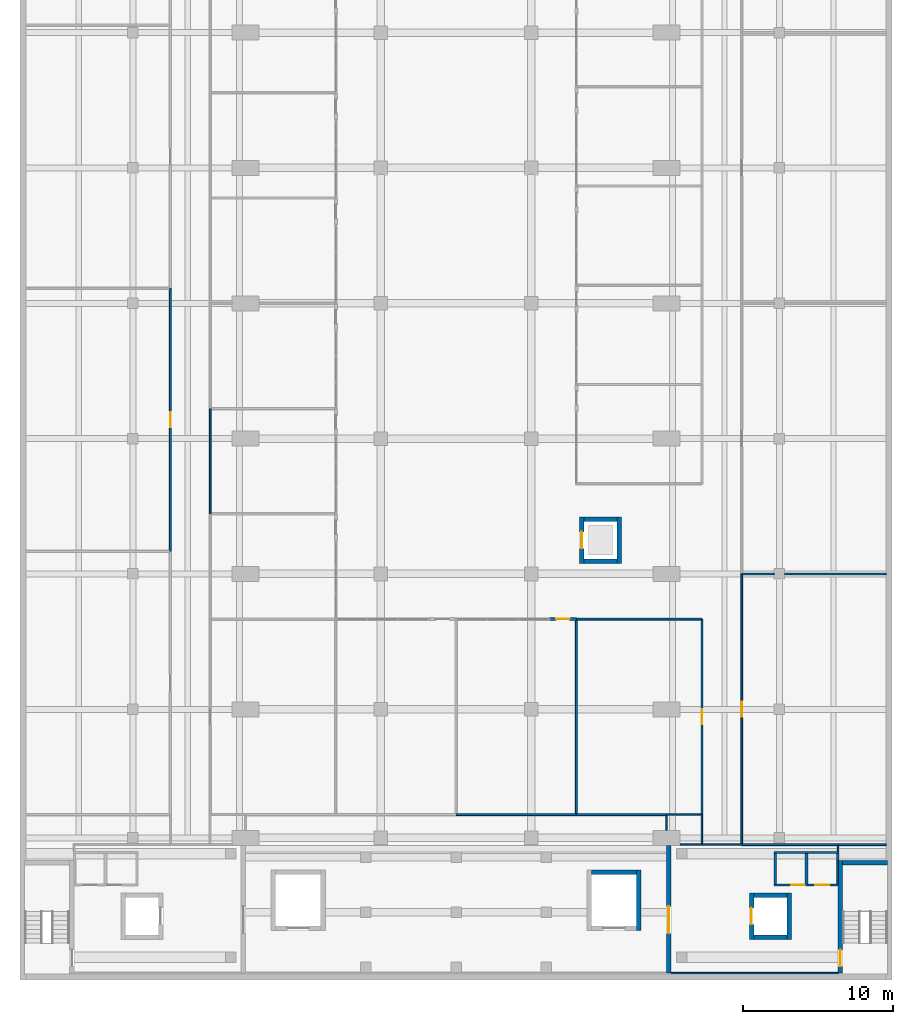
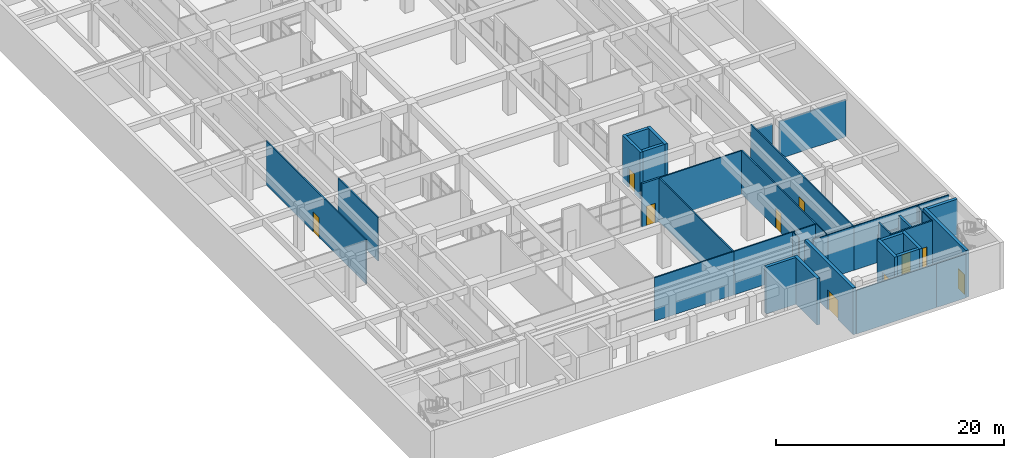
# One storey, part 18 of 29: 40 walls, 10 doors, 10 openings.
"""IFC4 building model written with IfcOpenShell, lengths in metres."""

from ifc_helpers import new_model, si_unit, direction, frame, frame_2d, origin, place, context, subcontext, project, spatial, rectangle, extrude, material, layer, layer_set, type_object, element, fill, save


model = new_model("IFC4")

# Units and contexts
model_context = context("Model", 3, precision=1e-05, world=origin(), true_north=direction((0.0, 1.0)))
body_context = subcontext(model_context, "Body", "Model", "MODEL_VIEW")
ifc_project = project(units=[si_unit("LENGTHUNIT", "METRE"), si_unit("AREAUNIT", "SQUARE_METRE"), si_unit("VOLUMEUNIT", "CUBIC_METRE"), si_unit("PLANEANGLEUNIT", "RADIAN"), si_unit("MASSUNIT", "GRAM", prefix="KILO")], contexts=[model_context])

# Site, building, storey
site_placement = place(None, origin())
site = spatial("IfcSite", under=ifc_project, at=site_placement, CompositionType="ELEMENT")
building_placement = place(site_placement, origin())
building = spatial("IfcBuilding", under=site, at=building_placement, Name="Elmora Arch Market Hall", CompositionType="ELEMENT")
storey_placement = place(building_placement, frame((0.0, 0.0, -5.0)))
storey = spatial("IfcBuildingStorey", under=building, at=storey_placement, Name="LG", CompositionType="ELEMENT", Elevation=-5.0)

# Wall
ifc_material_1 = material(Name="Blockwork", Category="masonry")
ifc_layer_1 = layer(ifc_material_1, 0.10009765625)
ifc_layer_set_1 = layer_set([ifc_layer_1], Name="Blockwork")
wall_type_1 = type_object("IfcWallType", Name="Blockwork partition 100 EI 120", PredefinedType="PARTITIONING", material=ifc_layer_set_1)
wall_1_placement = place(storey_placement, frame((54.35009765625, 24.39990234375, 0.0), z_axis=(0.0, 0.0, 1.0), x_axis=(0.0, 1.0, 0.0)))
element("IfcWall", 1, at=wall_1_placement, inside=storey, type_object=wall_type_1, Name="Riser wall LG 25", PredefinedType="PARTITIONING", context=body_context, shape_type="SweptSolid", body=[
    extrude(rectangle(XDim=1.550048828125, YDim=0.10009765625, at=frame_2d((0.77490234375, 0.0))), origin(), (0.0, 0.0, 1.0), 4.699951171875),
])

# Wall, openings, doors
ifc_material_2 = material(Name="Blockwork", Category="masonry")
ifc_layer_2 = layer(ifc_material_2, 0.14990234375)
ifc_layer_set_2 = layer_set([ifc_layer_2], Name="Blockwork")
wall_type_2 = type_object("IfcWallType", Name="Blockwork partition 150 EI 120", PredefinedType="PARTITIONING", material=ifc_layer_set_2)
wall_2_placement = place(storey_placement, frame((50.14990234375, 24.324951171875, 0.0), z_axis=(0.0, 0.0, 1.0), x_axis=(1.0, 0.0, 0.0)))
wall_2 = element("IfcWall", 2, at=wall_2_placement, inside=storey, type_object=wall_type_2, Name="Riser wall LG 21", PredefinedType="PARTITIONING", context=body_context, shape_type="SweptSolid", body=[
    extrude(rectangle(XDim=4.25, YDim=0.14990234375, at=frame_2d((2.125, 0.0))), origin(), (0.0, 0.0, 1.0), 4.699951171875),
])
opening_1_placement = place(wall_2_placement, frame((1.14990234375, 0.0, 0.0)))
opening_1 = element("IfcOpeningElement", 3, at=opening_1_placement, cuts=wall_2, Name="Opening D-LG-005", PredefinedType="OPENING", context=body_context, shape_type="SweptSolid", body=[
    extrude(rectangle(XDim=0.89990234375, YDim=2.10009765625, at=frame_2d((0.449951171875, 1.050048828125))), frame((0.0, 0.0849609375, 0.0), z_axis=(0.0, -1.0, 0.0), x_axis=(1.0, 0.0, 0.0)), (0.0, 0.0, 1.0), 0.169921875),
])
opening_2_placement = place(wall_2_placement, frame((2.75, 0.0, 0.0)))
opening_2 = element("IfcOpeningElement", 4, at=opening_2_placement, cuts=wall_2, Name="Opening D-LG-006", PredefinedType="OPENING", context=body_context, shape_type="SweptSolid", body=[
    extrude(rectangle(XDim=0.89990234375, YDim=2.10009765625, at=frame_2d((0.449951171875, 1.050048828125))), frame((0.0, 0.0849609375, 0.0), z_axis=(0.0, -1.0, 0.0), x_axis=(1.0, 0.0, 0.0)), (0.0, 0.0, 1.0), 0.169921875),
])
ifc_material_3 = material(Name="Steel ASTM A653 galvanised", Category="steel")
door_type_1 = type_object("IfcDoorType", Name="Door 900 x 2100 FD90", OperationType="SINGLE_SWING_LEFT", PredefinedType="DOOR", material=ifc_material_3)
door_1_placement = place(opening_1_placement, origin())
door_1 = element("IfcDoor", 5, at=door_1_placement, inside=storey, type_object=door_type_1, Name="Riser access door D-LG-005", OperationType="SINGLE_SWING_RIGHT", OverallHeight=2.10009765625, OverallWidth=0.89990234375, PredefinedType="DOOR", context=body_context, shape_type="SweptSolid", body=[
    extrude(rectangle(XDim=0.89990234375, YDim=2.10009765625, at=frame_2d((0.449951171875, 1.050048828125))), frame((0.0, 0.02490234375, 0.0), z_axis=(0.0, -1.0, 0.0), x_axis=(1.0, 0.0, 0.0)), (0.0, 0.0, 1.0), 0.050048828125),
])
fill(opening_1, door_1)
door_2_placement = place(opening_2_placement, origin())
door_2 = element("IfcDoor", 6, at=door_2_placement, inside=storey, type_object=door_type_1, Name="Riser access door D-LG-006", OperationType="SINGLE_SWING_LEFT", OverallHeight=2.10009765625, OverallWidth=0.89990234375, PredefinedType="DOOR", context=body_context, shape_type="SweptSolid", body=[
    extrude(rectangle(XDim=0.89990234375, YDim=2.10009765625, at=frame_2d((0.449951171875, 1.050048828125))), frame((0.0, 0.02490234375, 0.0), z_axis=(0.0, -1.0, 0.0), x_axis=(1.0, 0.0, 0.0)), (0.0, 0.0, 1.0), 0.050048828125),
])
fill(opening_2, door_2)

# Walls
wall_3_placement = place(storey_placement, frame((50.22509765625, 24.39990234375, 0.0), z_axis=(0.0, 0.0, 1.0), x_axis=(0.0, 1.0, 0.0)))
element("IfcWall", 7, at=wall_3_placement, inside=storey, type_object=wall_type_2, Name="Riser wall LG 22", PredefinedType="PARTITIONING", context=body_context, shape_type="SweptSolid", body=[
    extrude(rectangle(XDim=2.0, YDim=0.14990234375, at=frame_2d((1.0, 0.0))), origin(), (0.0, 0.0, 1.0), 4.699951171875),
])
wall_4_placement = place(storey_placement, frame((50.14990234375, 26.47509765625, 0.0), z_axis=(0.0, 0.0, 1.0), x_axis=(1.0, 0.0, 0.0)))
element("IfcWall", 8, at=wall_4_placement, inside=storey, type_object=wall_type_2, Name="Riser wall LG 23", PredefinedType="PARTITIONING", context=body_context, shape_type="SweptSolid", body=[
    extrude(rectangle(XDim=4.300048828125, YDim=0.14990234375, at=frame_2d((2.14990234375, 0.0))), origin(), (0.0, 0.0, 1.0), 3.300048828125),
])
wall_5_placement = place(storey_placement, frame((54.375, 25.949951171875, 0.0), z_axis=(0.0, 0.0, 1.0), x_axis=(0.0, 1.0, 0.0)))
element("IfcWall", 9, at=wall_5_placement, inside=storey, type_object=wall_type_2, Name="Riser wall LG 26", PredefinedType="PARTITIONING", context=body_context, shape_type="SweptSolid", body=[
    extrude(rectangle(XDim=0.449951171875, YDim=0.14990234375, at=frame_2d((0.22509765625, 0.0))), origin(), (0.0, 0.0, 1.0), 4.699951171875),
])
ifc_material_4 = material(Name="Blockwork", Category="masonry")
ifc_layer_3 = layer(ifc_material_4, 0.199951171875)
ifc_layer_set_3 = layer_set([ifc_layer_3], Name="Blockwork")
wall_type_3 = type_object("IfcWallType", Name="Blockwork partition 200 EI 120", PredefinedType="PARTITIONING", material=ifc_layer_set_3)
wall_6_placement = place(storey_placement, frame((52.300048828125, 24.39990234375, 0.0), z_axis=(0.0, 0.0, 1.0), x_axis=(0.0, 1.0, 0.0)))
element("IfcWall", 10, at=wall_6_placement, inside=storey, type_object=wall_type_3, Name="Riser wall LG 24", PredefinedType="PARTITIONING", context=body_context, shape_type="SweptSolid", body=[
    extrude(rectangle(XDim=2.0, YDim=0.199951171875, at=frame_2d((1.0, 0.0))), origin(), (0.0, 0.0, 1.0), 4.699951171875),
])

# Wall, opening, door
ifc_material_5 = material(Name="Concrete C40/50", Category="concrete")
ifc_layer_4 = layer(ifc_material_5, 0.199951171875)
ifc_layer_set_4 = layer_set([ifc_layer_4], Name="Concrete C40/50")
wall_type_4 = type_object("IfcWallType", Name="Concrete shopfront pier 200", PredefinedType="PARTITIONING", material=ifc_layer_set_4)
wall_7_placement = place(storey_placement, frame((37.0, 42.0, 0.0), z_axis=(0.0, 0.0, 1.0), x_axis=(-1.0, 0.0, 0.0)))
wall_7 = element("IfcWall", 11, at=wall_7_placement, inside=storey, type_object=wall_type_4, Name="Lower ground shopfront pier S2", PredefinedType="PARTITIONING", context=body_context, shape_type="SweptSolid", body=[
    extrude(rectangle(XDim=1.800048828125, YDim=0.199951171875, at=frame_2d((0.89990234375, 0.0))), origin(), (0.0, 0.0, 1.0), 4.64990234375),
])
opening_3_placement = place(wall_7_placement, frame((0.449951171875, 0.0, 0.0)))
opening_3 = element("IfcOpeningElement", 12, at=opening_3_placement, cuts=wall_7, Name="Opening SD-LG-S2", PredefinedType="OPENING", context=body_context, shape_type="SweptSolid", body=[
    extrude(rectangle(XDim=0.89990234375, YDim=2.10009765625, at=frame_2d((0.449951171875, 1.050048828125))), frame((0.0, 0.10986328125, 0.0), z_axis=(0.0, -1.0, 0.0), x_axis=(1.0, 0.0, 0.0)), (0.0, 0.0, 1.0), 0.219970703125),
])
ifc_material_6 = material(Name="Glazed aluminium", Category="aluminium")
door_type_2 = type_object("IfcDoorType", Name="Lower ground shop door 900x2100", OperationType="SINGLE_SWING_LEFT", PredefinedType="DOOR", material=ifc_material_6)
door_3_placement = place(opening_3_placement, origin())
door_3 = element("IfcDoor", 13, at=door_3_placement, inside=storey, type_object=door_type_2, Name="Lower ground shop door S2", OperationType="SINGLE_SWING_LEFT", OverallHeight=2.10009765625, OverallWidth=0.89990234375, PredefinedType="DOOR", context=body_context, shape_type="SweptSolid", body=[
    extrude(rectangle(XDim=0.89990234375, YDim=2.10009765625, at=frame_2d((0.449951171875, 1.050048828125))), frame((0.0, 0.02490234375, 0.0), z_axis=(0.0, -1.0, 0.0), x_axis=(1.0, 0.0, 0.0)), (0.0, 0.0, 1.0), 0.050048828125),
])
fill(opening_3, door_3)

ifc_material_7 = material(Name="Concrete C40/50", Category="concrete")
ifc_layer_5 = layer(ifc_material_7, 0.300048828125)
ifc_layer_set_5 = layer_set([ifc_layer_5], Name="Concrete C40/50")
wall_type_5 = type_object("IfcWallType", Name="Dock wall 300", PredefinedType="SOLIDWALL", material=ifc_layer_set_5)
wall_8_placement = place(storey_placement, frame((43.14990234375, 18.449951171875, 0.0), z_axis=(0.0, 0.0, 1.0), x_axis=(0.0, 1.0, 0.0)))
wall_8 = element("IfcWall", 14, at=wall_8_placement, inside=storey, type_object=wall_type_5, Name="Dock wall E LG", PredefinedType="SOLIDWALL", context=body_context, shape_type="SweptSolid", body=[
    extrude(rectangle(XDim=8.5, YDim=0.300048828125, at=frame_2d((4.25, 0.0))), origin(), (0.0, 0.0, 1.0), 5.0),
])
opening_4_placement = place(wall_8_placement, frame((2.64990234375, 0.0, 0.0)))
opening_4 = element("IfcOpeningElement", 15, at=opening_4_placement, cuts=wall_8, Name="Opening D-LG-002", PredefinedType="OPENING", context=body_context, shape_type="SweptSolid", body=[
    extrude(rectangle(XDim=1.800048828125, YDim=2.10009765625, at=frame_2d((0.89990234375, 1.050048828125))), frame((0.0, 0.159912109375, 0.0), z_axis=(0.0, -1.0, 0.0), x_axis=(1.0, 0.0, 0.0)), (0.0, 0.0, 1.0), 0.320068359375),
])
ifc_material_8 = material(Name="Steel ASTM A653 galvanised", Category="steel")
door_type_3 = type_object("IfcDoorType", Name="Double door 1800 x 2100", OperationType="DOUBLE_DOOR_SINGLE_SWING", PredefinedType="DOOR", material=ifc_material_8)
door_4_placement = place(opening_4_placement, frame((1.800048828125, 0.0, 0.0), z_axis=(0.0, 0.0, 1.0), x_axis=(-1.0, 0.0, 0.0)))
door_4 = element("IfcDoor", 16, at=door_4_placement, inside=storey, type_object=door_type_3, Name="D-LG-002", OperationType="DOUBLE_DOOR_SINGLE_SWING", OverallHeight=2.10009765625, OverallWidth=1.800048828125, PredefinedType="DOOR", context=body_context, shape_type="SweptSolid", body=[
    extrude(rectangle(XDim=1.800048828125, YDim=2.10009765625, at=frame_2d((0.89990234375, 1.050048828125))), frame((0.0, 0.02490234375, 0.0), z_axis=(0.0, -1.0, 0.0), x_axis=(1.0, 0.0, 0.0)), (0.0, 0.0, 1.0), 0.050048828125),
])
fill(opening_4, door_4)

ifc_material_9 = material(Name="Concrete C40/50", Category="concrete")
ifc_layer_6 = layer(ifc_material_9, 0.300048828125)
ifc_layer_set_6 = layer_set([ifc_layer_6], Name="Concrete C40/50")
wall_type_6 = type_object("IfcWallType", Name="Lift shaft wall 300", PredefinedType="SHEAR", material=ifc_layer_set_6)
wall_9_placement = place(storey_placement, frame((48.64990234375, 20.699951171875, 0.0), z_axis=(0.0, 0.0, 1.0), x_axis=(0.0, 1.0, 0.0)))
wall_9 = element("IfcWall", 17, at=wall_9_placement, inside=storey, type_object=wall_type_6, Name="Lift shaft wall WL2 W LG", PredefinedType="SHEAR", context=body_context, shape_type="SweptSolid", body=[
    extrude(rectangle(XDim=3.10009765625, YDim=0.300048828125, at=frame_2d((1.550048828125, 0.0))), origin(), (0.0, 0.0, 1.0), 5.0),
])
opening_5_placement = place(wall_9_placement, frame((1.0, 0.0, 0.0)))
opening_5 = element("IfcOpeningElement", 18, at=opening_5_placement, cuts=wall_9, Name="Opening LD-WL2-LG", PredefinedType="OPENING", context=body_context, shape_type="SweptSolid", body=[
    extrude(rectangle(XDim=1.10009765625, YDim=2.10009765625, at=frame_2d((0.550048828125, 1.050048828125))), frame((0.0, 0.159912109375, 0.0), z_axis=(0.0, -1.0, 0.0), x_axis=(1.0, 0.0, 0.0)), (0.0, 0.0, 1.0), 0.320068359375),
])
ifc_material_10 = material(Name="Stainless steel ASTM A240 Type 304", Category="steel")
door_type_4 = type_object("IfcDoorType", Name="Lift landing door 1100 x 2100 FD90", OperationType="SLIDING_TO_LEFT", PredefinedType="DOOR", material=ifc_material_10)
door_5_placement = place(opening_5_placement, origin())
door_5 = element("IfcDoor", 19, at=door_5_placement, inside=storey, type_object=door_type_4, Name="Landing door WL2 LG", OperationType="SLIDING_TO_LEFT", OverallHeight=2.10009765625, OverallWidth=1.10009765625, PredefinedType="DOOR", context=body_context, shape_type="SweptSolid", body=[
    extrude(rectangle(XDim=1.10009765625, YDim=2.10009765625, at=frame_2d((0.550048828125, 1.050048828125))), frame((0.0, 0.02490234375, 0.0), z_axis=(0.0, -1.0, 0.0), x_axis=(1.0, 0.0, 0.0)), (0.0, 0.0, 1.0), 0.050048828125),
])
fill(opening_5, door_5)

# Walls
wall_10_placement = place(storey_placement, frame((51.14990234375, 20.699951171875, 0.0), z_axis=(0.0, 0.0, 1.0), x_axis=(0.0, 1.0, 0.0)))
element("IfcWall", 20, at=wall_10_placement, inside=storey, type_object=wall_type_6, Name="Lift shaft wall WL2 E LG", PredefinedType="SHEAR", context=body_context, shape_type="SweptSolid", body=[
    extrude(rectangle(XDim=3.10009765625, YDim=0.300048828125, at=frame_2d((1.550048828125, 0.0))), origin(), (0.0, 0.0, 1.0), 5.0),
])
for number, where, z_axis, x_axis, name in (
    (21, (48.800048828125, 20.85009765625, 0.0), (0.0, 0.0, 1.0), (1.0, 0.0, 0.0), "Lift shaft wall WL2 S LG"),
    (22, (48.800048828125, 23.64990234375, 0.0), (0.0, 0.0, 1.0), (1.0, 0.0, 0.0), "Lift shaft wall WL2 N LG"),
):
    element("IfcWall", number, at=place(storey_placement, frame(where, z_axis=z_axis, x_axis=x_axis)), inside=storey, type_object=wall_type_6, Name=name, PredefinedType="SHEAR", context=body_context, shape_type="SweptSolid", body=[
        extrude(rectangle(XDim=2.199951171875, YDim=0.300048828125, at=frame_2d((1.10009765625, 0.0))), origin(), (0.0, 0.0, 1.0), 5.0),
    ])

# Wall, opening, door
wall_11_placement = place(storey_placement, frame((37.35009765625, 45.699951171875, 0.0), z_axis=(0.0, 0.0, 1.0), x_axis=(0.0, 1.0, 0.0)))
wall_11 = element("IfcWall", 23, at=wall_11_placement, inside=storey, type_object=wall_type_6, Name="Lift shaft wall ML1 W LG", PredefinedType="SHEAR", context=body_context, shape_type="SweptSolid", body=[
    extrude(rectangle(XDim=3.10009765625, YDim=0.300048828125, at=frame_2d((1.550048828125, 0.0))), origin(), (0.0, 0.0, 1.0), 5.0),
])
opening_6_placement = place(wall_11_placement, frame((1.0, 0.0, 0.0)))
opening_6 = element("IfcOpeningElement", 24, at=opening_6_placement, cuts=wall_11, Name="Opening LD-ML1-LG", PredefinedType="OPENING", context=body_context, shape_type="SweptSolid", body=[
    extrude(rectangle(XDim=1.10009765625, YDim=2.10009765625, at=frame_2d((0.550048828125, 1.050048828125))), frame((0.0, 0.159912109375, 0.0), z_axis=(0.0, -1.0, 0.0), x_axis=(1.0, 0.0, 0.0)), (0.0, 0.0, 1.0), 0.320068359375),
])
door_6_placement = place(opening_6_placement, origin())
door_6 = element("IfcDoor", 25, at=door_6_placement, inside=storey, type_object=door_type_4, Name="Landing door ML1 LG", OperationType="SLIDING_TO_LEFT", OverallHeight=2.10009765625, OverallWidth=1.10009765625, PredefinedType="DOOR", context=body_context, shape_type="SweptSolid", body=[
    extrude(rectangle(XDim=1.10009765625, YDim=2.10009765625, at=frame_2d((0.550048828125, 1.050048828125))), frame((0.0, 0.02490234375, 0.0), z_axis=(0.0, -1.0, 0.0), x_axis=(1.0, 0.0, 0.0)), (0.0, 0.0, 1.0), 0.050048828125),
])
fill(opening_6, door_6)

# Walls
wall_12_placement = place(storey_placement, frame((39.85009765625, 45.699951171875, 0.0), z_axis=(0.0, 0.0, 1.0), x_axis=(0.0, 1.0, 0.0)))
element("IfcWall", 26, at=wall_12_placement, inside=storey, type_object=wall_type_6, Name="Lift shaft wall ML1 E LG", PredefinedType="SHEAR", context=body_context, shape_type="SweptSolid", body=[
    extrude(rectangle(XDim=3.10009765625, YDim=0.300048828125, at=frame_2d((1.550048828125, 0.0))), origin(), (0.0, 0.0, 1.0), 5.0),
])
for number, where, z_axis, x_axis, name in (
    (27, (37.5, 45.85009765625, 0.0), (0.0, 0.0, 1.0), (1.0, 0.0, 0.0), "Lift shaft wall ML1 S LG"),
    (28, (37.5, 48.64990234375, 0.0), (0.0, 0.0, 1.0), (1.0, 0.0, 0.0), "Lift shaft wall ML1 N LG"),
):
    element("IfcWall", number, at=place(storey_placement, frame(where, z_axis=z_axis, x_axis=x_axis)), inside=storey, type_object=wall_type_6, Name=name, PredefinedType="SHEAR", context=body_context, shape_type="SweptSolid", body=[
        extrude(rectangle(XDim=2.199951171875, YDim=0.300048828125, at=frame_2d((1.10009765625, 0.0))), origin(), (0.0, 0.0, 1.0), 5.0),
    ])
wall_13_placement = place(storey_placement, frame((41.14990234375, 21.300048828125, 0.0), z_axis=(0.0, 0.0, 1.0), x_axis=(0.0, 1.0, 0.0)))
element("IfcWall", 29, at=wall_13_placement, inside=storey, type_object=wall_type_6, Name="Lift shaft wall GL2 E LG", PredefinedType="SHEAR", context=body_context, shape_type="SweptSolid", body=[
    extrude(rectangle(XDim=4.0, YDim=0.300048828125, at=frame_2d((2.0, 0.0))), origin(), (0.0, 0.0, 1.0), 5.0),
])
wall_14_placement = place(storey_placement, frame((38.0, 25.14990234375, 0.0), z_axis=(0.0, 0.0, 1.0), x_axis=(1.0, 0.0, 0.0)))
element("IfcWall", 30, at=wall_14_placement, inside=storey, type_object=wall_type_6, Name="Lift shaft wall GL2 N LG", PredefinedType="SHEAR", context=body_context, shape_type="SweptSolid", body=[
    extrude(rectangle(XDim=3.0, YDim=0.300048828125, at=frame_2d((1.5, 0.0))), origin(), (0.0, 0.0, 1.0), 5.0),
])
ifc_material_11 = material(Name="Gypsum board on metal studs")
ifc_layer_7 = layer(ifc_material_11, 0.10009765625)
ifc_layer_set_7 = layer_set([ifc_layer_7], Name="Gypsum board on metal studs")
wall_type_7 = type_object("IfcWallType", Name="Partition 100", PredefinedType="PARTITIONING", material=ifc_layer_set_7)
wall_15_placement = place(storey_placement, frame((43.300048828125, 18.449951171875, 0.0), z_axis=(0.0, 0.0, 1.0), x_axis=(1.0, 0.0, 0.0)))
element("IfcWall", 31, at=wall_15_placement, inside=storey, type_object=wall_type_7, Name="Partition PT-LG-004", PredefinedType="PARTITIONING", context=body_context, shape_type="SweptSolid", body=[
    extrude(rectangle(XDim=8.10986328125, YDim=0.10009765625, at=frame_2d((4.054931640625, 0.0))), origin(), (0.0, 0.0, 1.0), 4.699951171875),
])
wall_16_placement = place(storey_placement, frame((51.409912109375, 18.449951171875, 0.0), z_axis=(0.0, 0.0, 1.0), x_axis=(1.0, 0.0, 0.0)))
element("IfcWall", 32, at=wall_16_placement, inside=storey, type_object=wall_type_7, Name="Partition PT-LG-005", PredefinedType="PARTITIONING", context=body_context, shape_type="SweptSolid", body=[
    extrude(rectangle(XDim=2.989990234375, YDim=0.10009765625, at=frame_2d((1.4951171875, 0.0))), origin(), (0.0, 0.0, 1.0), 4.699951171875),
])
wall_17_placement = place(storey_placement, frame((43.89990234375, 27.0, 0.0), z_axis=(0.0, 0.0, 1.0), x_axis=(1.0, 0.0, 0.0)))
element("IfcWall", 33, at=wall_17_placement, inside=storey, type_object=wall_type_7, Name="Partition PT-LG-009", PredefinedType="PARTITIONING", context=body_context, shape_type="SweptSolid", body=[
    extrude(rectangle(XDim=1.4501953125, YDim=0.10009765625, at=frame_2d((0.72509765625, 0.0))), origin(), (0.0, 0.0, 1.0), 4.699951171875),
])
wall_18_placement = place(storey_placement, frame((45.35009765625, 27.0, 0.0), z_axis=(0.0, 0.0, 1.0), x_axis=(1.0, 0.0, 0.0)))
element("IfcWall", 34, at=wall_18_placement, inside=storey, type_object=wall_type_7, Name="Partition PT-LG-010", PredefinedType="PARTITIONING", context=body_context, shape_type="SweptSolid", body=[
    extrude(rectangle(XDim=2.64990234375, YDim=0.10009765625, at=frame_2d((1.324951171875, 0.0))), origin(), (0.0, 0.0, 1.0), 4.699951171875),
])
wall_19_placement = place(storey_placement, frame((43.0, 29.0, 0.0), z_axis=(0.0, 0.0, 1.0), x_axis=(1.0, 0.0, 0.0)))
element("IfcWall", 35, at=wall_19_placement, inside=storey, type_object=wall_type_7, Name="Partition PT-LG-019", PredefinedType="PARTITIONING", context=body_context, shape_type="SweptSolid", body=[
    extrude(rectangle(XDim=2.28759765625, YDim=0.10009765625, at=frame_2d((1.143798828125, 0.0))), origin(), (0.0, 0.0, 1.0), 4.64990234375),
])
wall_20_placement = place(storey_placement, frame((43.0, 27.949951171875, 0.0), z_axis=(0.0, 0.0, 1.0), x_axis=(0.0, 1.0, 0.0)))
element("IfcWall", 36, at=wall_20_placement, inside=storey, type_object=wall_type_7, Name="Partition PT-LG-108", PredefinedType="PARTITIONING", context=body_context, shape_type="SweptSolid", body=[
    extrude(rectangle(XDim=0.987548828125, YDim=0.10009765625, at=frame_2d((0.49365234375, 0.0))), origin(), (0.0, 0.0, 1.0), 4.64990234375),
])
wall_21_placement = place(storey_placement, frame((45.35009765625, 27.050048828125, 0.0), z_axis=(0.0, 0.0, 1.0), x_axis=(0.0, 1.0, 0.0)))
element("IfcWall", 37, at=wall_21_placement, inside=storey, type_object=wall_type_7, Name="Partition PT-LG-109", PredefinedType="PARTITIONING", context=body_context, shape_type="SweptSolid", body=[
    extrude(rectangle(XDim=1.949951171875, YDim=0.10009765625, at=frame_2d((0.97509765625, 0.0))), origin(), (0.0, 0.0, 1.0), 4.699951171875),
])
wall_22_placement = place(storey_placement, frame((54.39990234375, 26.550048828125, 0.0), z_axis=(0.0, 0.0, 1.0), x_axis=(0.0, 1.0, 0.0)))
element("IfcWall", 38, at=wall_22_placement, inside=storey, type_object=wall_type_7, Name="Partition PT-LG-124", PredefinedType="PARTITIONING", context=body_context, shape_type="SweptSolid", body=[
    extrude(rectangle(XDim=0.387451171875, YDim=0.10009765625, at=frame_2d((0.19384765625, 0.0))), origin(), (0.0, 0.0, 1.0), 4.699951171875),
])
ifc_material_12 = material(Name="Gypsum board on metal studs")
ifc_layer_8 = layer(ifc_material_12, 0.125)
ifc_layer_set_8 = layer_set([ifc_layer_8], Name="Gypsum board on metal studs")
wall_type_8 = type_object("IfcWallType", Name="Partition 125 EI 60", PredefinedType="PARTITIONING", material=ifc_layer_set_8)
wall_23_placement = place(storey_placement, frame((48.0, 27.0, 0.0), z_axis=(0.0, 0.0, 1.0), x_axis=(1.0, 0.0, 0.0)))
element("IfcWall", 39, at=wall_23_placement, inside=storey, type_object=wall_type_8, Name="Partition PT-LG-011", PredefinedType="PARTITIONING", context=body_context, shape_type="SweptSolid", body=[
    extrude(rectangle(XDim=6.39990234375, YDim=0.125, at=frame_2d((3.199951171875, 0.0))), origin(), (0.0, 0.0, 1.0), 4.699951171875),
])
wall_24_placement = place(storey_placement, frame((54.39990234375, 27.0, 0.0), z_axis=(0.0, 0.0, 1.0), x_axis=(1.0, 0.0, 0.0)))
element("IfcWall", 40, at=wall_24_placement, inside=storey, type_object=wall_type_8, Name="Partition PT-LG-012", PredefinedType="PARTITIONING", context=body_context, shape_type="SweptSolid", body=[
    extrude(rectangle(XDim=3.2001953125, YDim=0.125, at=frame_2d((1.60009765625, 0.0))), origin(), (0.0, 0.0, 1.0), 4.699951171875),
])
wall_25_placement = place(storey_placement, frame((29.0, 29.0, 0.0), z_axis=(0.0, 0.0, 1.0), x_axis=(1.0, 0.0, 0.0)))
element("IfcWall", 41, at=wall_25_placement, inside=storey, type_object=wall_type_8, Name="Partition PT-LG-017", PredefinedType="PARTITIONING", context=body_context, shape_type="SweptSolid", body=[
    extrude(rectangle(XDim=8.0, YDim=0.125, at=frame_2d((4.0, 0.0))), origin(), (0.0, 0.0, 1.0), 4.64990234375),
])
wall_26_placement = place(storey_placement, frame((37.0, 29.0, 0.0), z_axis=(0.0, 0.0, 1.0), x_axis=(1.0, 0.0, 0.0)))
element("IfcWall", 42, at=wall_26_placement, inside=storey, type_object=wall_type_8, Name="Partition PT-LG-018", PredefinedType="PARTITIONING", context=body_context, shape_type="SweptSolid", body=[
    extrude(rectangle(XDim=6.0, YDim=0.125, at=frame_2d((3.0, 0.0))), origin(), (0.0, 0.0, 1.0), 4.64990234375),
])
wall_27_placement = place(storey_placement, frame((37.0, 42.0, 0.0), z_axis=(0.0, 0.0, 1.0), x_axis=(1.0, 0.0, 0.0)))
element("IfcWall", 43, at=wall_27_placement, inside=storey, type_object=wall_type_8, Name="Partition PT-LG-021", PredefinedType="PARTITIONING", context=body_context, shape_type="SweptSolid", body=[
    extrude(rectangle(XDim=8.340087890625, YDim=0.125, at=frame_2d((4.169921875, 0.0))), origin(), (0.0, 0.0, 1.0), 4.64990234375),
])
wall_28_placement = place(storey_placement, frame((48.0625, 45.0, 0.0), z_axis=(0.0, 0.0, 1.0), x_axis=(1.0, 0.0, 0.0)))
element("IfcWall", 44, at=wall_28_placement, inside=storey, type_object=wall_type_8, Name="Partition PT-LG-022-22", PredefinedType="PARTITIONING", context=body_context, shape_type="SweptSolid", body=[
    extrude(rectangle(XDim=2.08740234375, YDim=0.125, at=frame_2d((1.043701171875, 0.0))), origin(), (0.0, 0.0, 1.0), 4.0),
])
wall_29_placement = place(storey_placement, frame((50.85009765625, 45.0, 0.0), z_axis=(0.0, 0.0, 1.0), x_axis=(1.0, 0.0, 0.0)))
element("IfcWall", 45, at=wall_29_placement, inside=storey, type_object=wall_type_8, Name="Partition PT-LG-022-23", PredefinedType="PARTITIONING", context=body_context, shape_type="SweptSolid", body=[
    extrude(rectangle(XDim=6.75, YDim=0.125, at=frame_2d((3.375, 0.0))), origin(), (0.0, 0.0, 1.0), 4.0),
])

# Wall, opening, door
wall_30_placement = place(storey_placement, frame((10.0, 46.5, 0.0), z_axis=(0.0, 0.0, 1.0), x_axis=(0.0, 1.0, 0.0)))
wall_30 = element("IfcWall", 46, at=wall_30_placement, inside=storey, type_object=wall_type_8, Name="Partition PT-LG-079", PredefinedType="PARTITIONING", context=body_context, shape_type="SweptSolid", body=[
    extrude(rectangle(XDim=17.5, YDim=0.125, at=frame_2d((8.75, 0.0))), origin(), (0.0, 0.0, 1.0), 4.699951171875),
])
opening_7_placement = place(wall_30_placement, frame((8.25, 0.0, 0.0)))
opening_7 = element("IfcOpeningElement", 47, at=opening_7_placement, cuts=wall_30, Name="Opening D-LG-012", PredefinedType="OPENING", context=body_context, shape_type="SweptSolid", body=[
    extrude(rectangle(XDim=1.0, YDim=2.10009765625, at=frame_2d((0.5, 1.050048828125))), frame((0.0, 0.072509765625, 0.0), z_axis=(0.0, -1.0, 0.0), x_axis=(1.0, 0.0, 0.0)), (0.0, 0.0, 1.0), 0.14501953125),
])
ifc_material_13 = material(Name="Steel ASTM A653 galvanised", Category="steel")
door_type_5 = type_object("IfcDoorType", Name="Door 1000 x 2100 FD45", OperationType="SINGLE_SWING_LEFT", PredefinedType="DOOR", material=ifc_material_13)
door_7_placement = place(opening_7_placement, origin())
door_7 = element("IfcDoor", 48, at=door_7_placement, inside=storey, type_object=door_type_5, Name="D-LG-012", OperationType="SINGLE_SWING_LEFT", OverallHeight=2.10009765625, OverallWidth=1.0, PredefinedType="DOOR", context=body_context, shape_type="SweptSolid", body=[
    extrude(rectangle(XDim=1.0, YDim=2.10009765625, at=frame_2d((0.5, 1.050048828125))), frame((0.0, 0.02490234375, 0.0), z_axis=(0.0, -1.0, 0.0), x_axis=(1.0, 0.0, 0.0)), (0.0, 0.0, 1.0), 0.050048828125),
])
fill(opening_7, door_7)

# Walls
wall_31_placement = place(storey_placement, frame((12.64990234375, 49.0, 0.0), z_axis=(0.0, 0.0, 1.0), x_axis=(0.0, 1.0, 0.0)))
element("IfcWall", 49, at=wall_31_placement, inside=storey, type_object=wall_type_8, Name="Partition PT-LG-086", PredefinedType="PARTITIONING", context=body_context, shape_type="SweptSolid", body=[
    extrude(rectangle(XDim=7.0, YDim=0.125, at=frame_2d((3.5, 0.0))), origin(), (0.0, 0.0, 1.0), 4.64990234375),
])
wall_32_placement = place(storey_placement, frame((37.0, 29.0625, 0.0), z_axis=(0.0, 0.0, 1.0), x_axis=(0.0, 1.0, 0.0)))
element("IfcWall", 50, at=wall_32_placement, inside=storey, type_object=wall_type_8, Name="Partition PT-LG-105", PredefinedType="PARTITIONING", context=body_context, shape_type="SweptSolid", body=[
    extrude(rectangle(XDim=12.83740234375, YDim=0.125, at=frame_2d((6.418701171875, 0.0))), origin(), (0.0, 0.0, 1.0), 4.64990234375),
])

# Wall, opening, door
wall_33_placement = place(storey_placement, frame((45.35009765625, 29.0, 0.0), z_axis=(0.0, 0.0, 1.0), x_axis=(0.0, 1.0, 0.0)))
wall_33 = element("IfcWall", 51, at=wall_33_placement, inside=storey, type_object=wall_type_8, Name="Partition PT-LG-110", PredefinedType="PARTITIONING", context=body_context, shape_type="SweptSolid", body=[
    extrude(rectangle(XDim=12.989990234375, YDim=0.125, at=frame_2d((6.4951171875, 0.0))), origin(), (0.0, 0.0, 1.0), 4.64990234375),
])
opening_8_placement = place(wall_33_placement, frame((6.0, 0.0, 0.0)))
opening_8 = element("IfcOpeningElement", 52, at=opening_8_placement, cuts=wall_33, Name="Opening D-LG-008", PredefinedType="OPENING", context=body_context, shape_type="SweptSolid", body=[
    extrude(rectangle(XDim=1.0, YDim=2.10009765625, at=frame_2d((0.5, 1.050048828125))), frame((0.0, 0.072509765625, 0.0), z_axis=(0.0, -1.0, 0.0), x_axis=(1.0, 0.0, 0.0)), (0.0, 0.0, 1.0), 0.14501953125),
])
door_8_placement = place(opening_8_placement, origin())
door_8 = element("IfcDoor", 53, at=door_8_placement, inside=storey, type_object=door_type_5, Name="D-LG-008", OperationType="SINGLE_SWING_RIGHT", OverallHeight=2.10009765625, OverallWidth=1.0, PredefinedType="DOOR", context=body_context, shape_type="SweptSolid", body=[
    extrude(rectangle(XDim=1.0, YDim=2.10009765625, at=frame_2d((0.5, 1.050048828125))), frame((0.0, 0.02490234375, 0.0), z_axis=(0.0, -1.0, 0.0), x_axis=(1.0, 0.0, 0.0)), (0.0, 0.0, 1.0), 0.050048828125),
])
fill(opening_8, door_8)

wall_34_placement = place(storey_placement, frame((48.0, 27.0625, 0.0), z_axis=(0.0, 0.0, 1.0), x_axis=(0.0, 1.0, 0.0)))
wall_34 = element("IfcWall", 54, at=wall_34_placement, inside=storey, type_object=wall_type_8, Name="Partition PT-LG-118", PredefinedType="PARTITIONING", context=body_context, shape_type="SweptSolid", body=[
    extrude(rectangle(XDim=17.9375, YDim=0.125, at=frame_2d((8.96875, 0.0))), origin(), (0.0, 0.0, 1.0), 4.699951171875),
])
opening_9_placement = place(wall_34_placement, frame((8.449951171875, 0.0, 0.0)))
opening_9 = element("IfcOpeningElement", 55, at=opening_9_placement, cuts=wall_34, Name="Opening D-LG-009", PredefinedType="OPENING", context=body_context, shape_type="SweptSolid", body=[
    extrude(rectangle(XDim=1.0, YDim=2.10009765625, at=frame_2d((0.5, 1.050048828125))), frame((0.0, 0.072509765625, 0.0), z_axis=(0.0, -1.0, 0.0), x_axis=(1.0, 0.0, 0.0)), (0.0, 0.0, 1.0), 0.14501953125),
])
door_9_placement = place(opening_9_placement, frame((1.0, 0.0, 0.0), z_axis=(0.0, 0.0, 1.0), x_axis=(-1.0, 0.0, 0.0)))
door_9 = element("IfcDoor", 56, at=door_9_placement, inside=storey, type_object=door_type_5, Name="D-LG-009", OperationType="SINGLE_SWING_LEFT", OverallHeight=2.10009765625, OverallWidth=1.0, PredefinedType="DOOR", context=body_context, shape_type="SweptSolid", body=[
    extrude(rectangle(XDim=1.0, YDim=2.10009765625, at=frame_2d((0.5, 1.050048828125))), frame((0.0, 0.02490234375, 0.0), z_axis=(0.0, -1.0, 0.0), x_axis=(1.0, 0.0, 0.0)), (0.0, 0.0, 1.0), 0.050048828125),
])
fill(opening_9, door_9)

# Wall
ifc_material_14 = material(Name="Concrete C40/50", Category="concrete")
ifc_layer_9 = layer(ifc_material_14, 0.300048828125)
ifc_layer_set_9 = layer_set([ifc_layer_9], Name="Concrete C40/50")
wall_type_9 = type_object("IfcWallType", Name="Stair wall 300", PredefinedType="SHEAR", material=ifc_layer_set_9)
wall_35_placement = place(storey_placement, frame((54.699951171875, 25.800048828125, 0.0), z_axis=(0.0, 0.0, 1.0), x_axis=(1.0, 0.0, 0.0)))
element("IfcWall", 57, at=wall_35_placement, inside=storey, type_object=wall_type_9, Name="Stair wall ST-ES N LG", PredefinedType="SHEAR", context=body_context, shape_type="SweptSolid", body=[
    extrude(rectangle(XDim=3.0, YDim=0.300048828125, at=frame_2d((1.5, 0.0))), origin(), (0.0, 0.0, 1.0), 5.0),
])

# Wall, opening, door
wall_36_placement = place(storey_placement, frame((54.550048828125, 18.449951171875, 0.0), z_axis=(0.0, 0.0, 1.0), x_axis=(0.0, 1.0, 0.0)))
wall_36 = element("IfcWall", 58, at=wall_36_placement, inside=storey, type_object=wall_type_9, Name="Stair wall ST-ES W LG", PredefinedType="SHEAR", context=body_context, shape_type="SweptSolid", body=[
    extrude(rectangle(XDim=7.5, YDim=0.300048828125, at=frame_2d((3.75, 0.0))), origin(), (0.0, 0.0, 1.0), 5.0),
])
opening_10_placement = place(wall_36_placement, frame((0.449951171875, 0.0, 0.0)))
opening_10 = element("IfcOpeningElement", 59, at=opening_10_placement, cuts=wall_36, Name="Opening ST-ES-LG", PredefinedType="OPENING", context=body_context, shape_type="SweptSolid", body=[
    extrude(rectangle(XDim=1.10009765625, YDim=2.10009765625, at=frame_2d((0.550048828125, 1.050048828125))), frame((0.0, 0.159912109375, 0.0), z_axis=(0.0, -1.0, 0.0), x_axis=(1.0, 0.0, 0.0)), (0.0, 0.0, 1.0), 0.320068359375),
])
ifc_material_15 = material(Name="Steel ASTM A653 galvanised", Category="steel")
door_type_6 = type_object("IfcDoorType", Name="Stair door 1100 x 2100 FD90", OperationType="SINGLE_SWING_LEFT", PredefinedType="DOOR", material=ifc_material_15)
door_10_placement = place(opening_10_placement, frame((1.10009765625, 0.0, 0.0), z_axis=(0.0, 0.0, 1.0), x_axis=(-1.0, 0.0, 0.0)))
door_10 = element("IfcDoor", 60, at=door_10_placement, inside=storey, type_object=door_type_6, Name="Stair door ST-ES LG", OperationType="SINGLE_SWING_RIGHT", OverallHeight=2.10009765625, OverallWidth=1.10009765625, PredefinedType="DOOR", context=body_context, shape_type="SweptSolid", body=[
    extrude(rectangle(XDim=1.10009765625, YDim=2.10009765625, at=frame_2d((0.550048828125, 1.050048828125))), frame((0.0, 0.02490234375, 0.0), z_axis=(0.0, -1.0, 0.0), x_axis=(1.0, 0.0, 0.0)), (0.0, 0.0, 1.0), 0.050048828125),
])
fill(opening_10, door_10)

save(model, "model.ifc")
